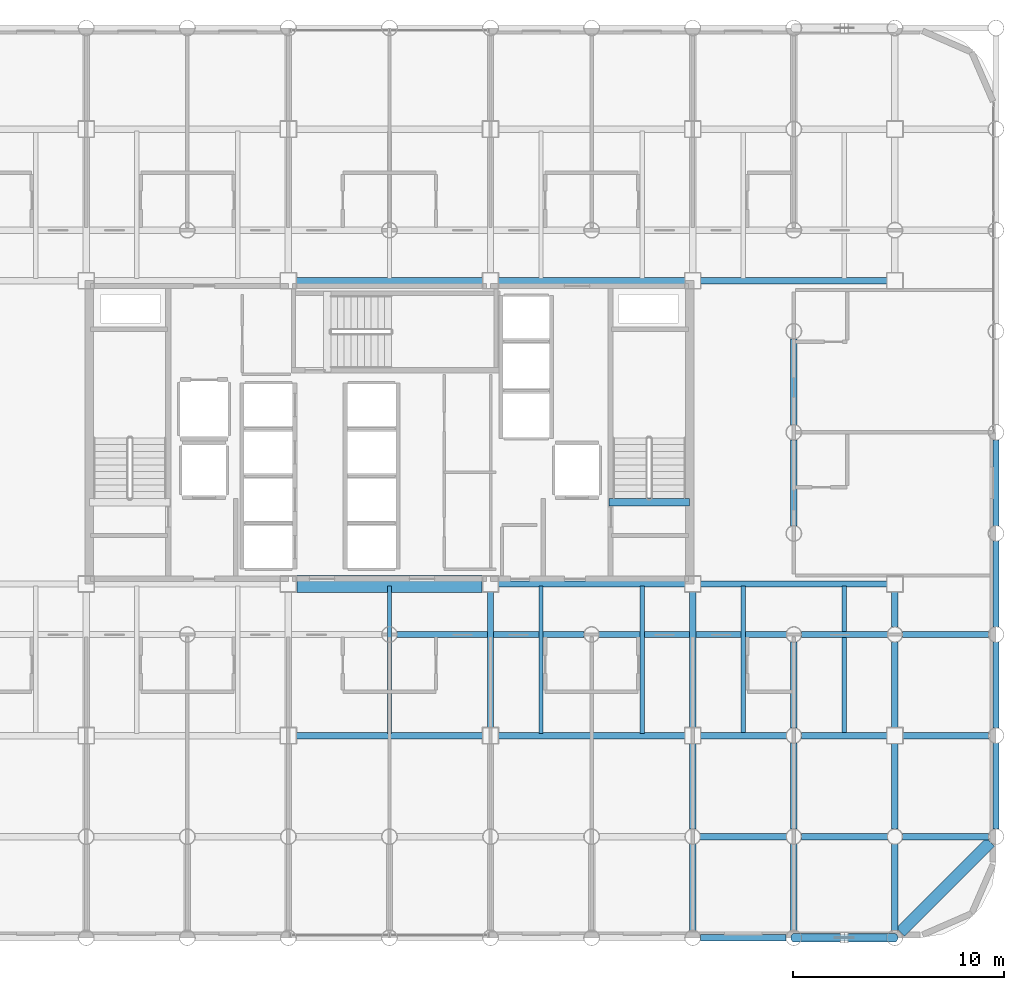
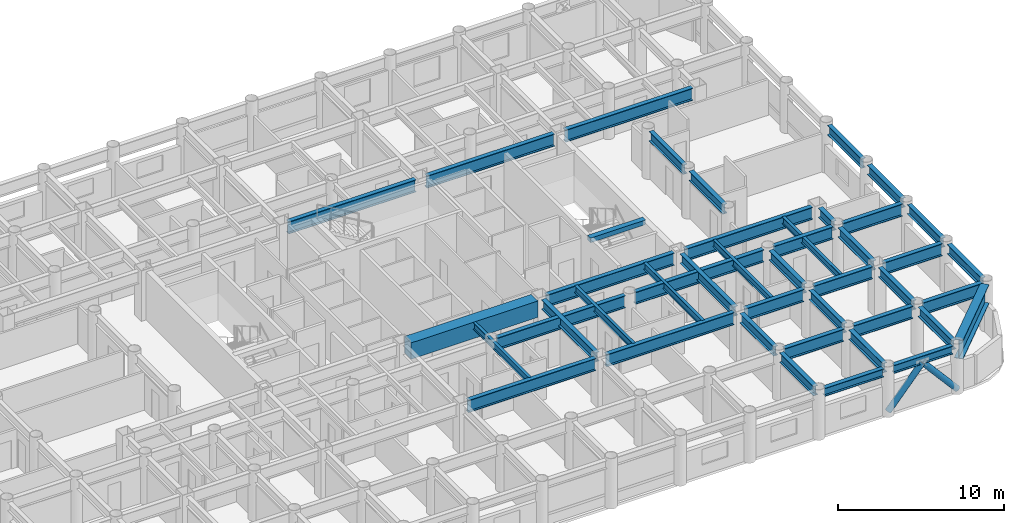
# One storey, part 7 of 22: 44 beams, 2 members.
"""IFC4 building model written with IfcOpenShell, lengths in metres."""

from ifc_helpers import new_model, si_unit, direction, frame, origin, origin_2d, place, context, subcontext, project, spatial, rectangle, hollow_circle, i_section, extrude, material, material_profile, profile_set, type_object, element, save


model = new_model("IFC4")

# Units and contexts
model_context = context("Model", 3, precision=1e-05, world=origin(), true_north=direction((0.0, 1.0)))
body_context = subcontext(model_context, "Body", "Model", "MODEL_VIEW")
ifc_project = project(units=[si_unit("LENGTHUNIT", "METRE"), si_unit("AREAUNIT", "SQUARE_METRE"), si_unit("VOLUMEUNIT", "CUBIC_METRE"), si_unit("PLANEANGLEUNIT", "RADIAN"), si_unit("MASSUNIT", "GRAM", prefix="KILO")], contexts=[model_context])

# Site, building, storey
site_placement = place(None, origin())
site = spatial("IfcSite", under=ifc_project, at=site_placement, CompositionType="ELEMENT")
building_placement = place(site_placement, origin())
building = spatial("IfcBuilding", under=site, at=building_placement, Name="Kallvorn Hotel Tower", CompositionType="ELEMENT")
storey_placement = place(building_placement, frame((0.0, 0.0, 37.39990234375)))
storey = spatial("IfcBuildingStorey", under=building, at=storey_placement, Name="L07", CompositionType="ELEMENT", Elevation=37.39990234375)

# Beams
ifc_material_1 = material(Name="Structural steel S355JR", Category="steel")
ifc_material_profile_1 = material_profile(ifc_material_1, i_section(OverallWidth=0.300048828125, OverallDepth=0.60009765625, WebThickness=0.015380859375, FlangeThickness=0.030029296875, at=origin_2d()), Name="HE 600 B")
ifc_profile_set_1 = profile_set([ifc_material_profile_1], Name="Structural steel S355JR")
beam_type_1 = type_object("IfcBeamType", Name="BM_HE600B", PredefinedType="SPANDREL", material=ifc_profile_set_1)
beam_1_placement = place(storey_placement, frame((14.77099609375, -24.0, 3.22021484375), z_axis=(1.0, 0.0, 0.0), x_axis=(0.0, 1.0, 0.0)))
element("IfcBeam", 1, at=beam_1_placement, inside=storey, type_object=beam_type_1, Name="L08 Perimeter Spandrel 160", PredefinedType="SPANDREL", context=body_context, shape_type="SweptSolid", body=[
    extrude(i_section(OverallWidth=0.300048828125, OverallDepth=0.60009765625, WebThickness=0.015380859375, FlangeThickness=0.030029296875, at=origin_2d()), origin(), (0.0, 0.0, 1.0), 4.05810546875),
])
beam_2_placement = place(storey_placement, frame((19.571044921875, -24.0, 3.22021484375), z_axis=(1.0, 0.0, 0.0), x_axis=(0.0, 1.0, 0.0)))
element("IfcBeam", 2, at=beam_2_placement, inside=storey, type_object=beam_type_1, Name="L08 Perimeter Spandrel 161", PredefinedType="SPANDREL", context=body_context, shape_type="SweptSolid", body=[
    extrude(i_section(OverallWidth=0.300048828125, OverallDepth=0.60009765625, WebThickness=0.015380859375, FlangeThickness=0.030029296875, at=origin_2d()), origin(), (0.0, 0.0, 1.0), 4.057861328125),
])
ifc_material_2 = material(Name="Structural steel S355JR", Category="steel")
ifc_material_profile_2 = material_profile(ifc_material_2, i_section(OverallWidth=0.300048828125, OverallDepth=0.699951171875, WebThickness=0.01708984375, FlangeThickness=0.031982421875, at=origin_2d()), Name="HE 700 B")
ifc_profile_set_2 = profile_set([ifc_material_profile_2], Name="Structural steel S355JR")
beam_type_2 = type_object("IfcBeamType", Name="BM_HE700B", PredefinedType="BEAM", material=ifc_profile_set_2)
beam_3_placement = place(storey_placement, frame((4.800048828125, -14.02490234375, 3.170166015625), z_axis=(0.0, 1.0, 0.0), x_axis=(-1.0, 0.0, 0.0)))
element("IfcBeam", 3, at=beam_3_placement, inside=storey, type_object=beam_type_2, Name="L08 Primary Y-Girder 116", PredefinedType="BEAM", context=body_context, shape_type="SweptSolid", body=[
    extrude(i_section(OverallWidth=0.300048828125, OverallDepth=0.699951171875, WebThickness=0.01708984375, FlangeThickness=0.031982421875, at=origin_2d()), origin(), (0.0, 0.0, 1.0), 6.449951171875),
])
beam_4_placement = place(storey_placement, frame((14.39990234375, -23.64404296875, 3.170166015625), z_axis=(0.0, 1.0, 0.0), x_axis=(-1.0, 0.0, 0.0)))
element("IfcBeam", 4, at=beam_4_placement, inside=storey, type_object=beam_type_2, Name="L08 Primary Y-Girder 122", PredefinedType="BEAM", context=body_context, shape_type="SweptSolid", body=[
    extrude(i_section(OverallWidth=0.300048828125, OverallDepth=0.699951171875, WebThickness=0.01708984375, FlangeThickness=0.031982421875, at=origin_2d()), origin(), (0.0, 0.0, 1.0), 4.088134765625),
])
beam_5_placement = place(storey_placement, frame((14.39990234375, -18.843994140625, 3.170166015625), z_axis=(0.0, 1.0, 0.0), x_axis=(-1.0, 0.0, 0.0)))
element("IfcBeam", 5, at=beam_5_placement, inside=storey, type_object=beam_type_2, Name="L08 Primary Y-Girder 123", PredefinedType="BEAM", context=body_context, shape_type="SweptSolid", body=[
    extrude(i_section(OverallWidth=0.300048828125, OverallDepth=0.699951171875, WebThickness=0.01708984375, FlangeThickness=0.031982421875, at=origin_2d()), origin(), (0.0, 0.0, 1.0), 4.069091796875),
])
beam_6_placement = place(storey_placement, frame((14.39990234375, -14.02490234375, 3.170166015625), z_axis=(0.0, 1.0, 0.0), x_axis=(-1.0, 0.0, 0.0)))
element("IfcBeam", 6, at=beam_6_placement, inside=storey, type_object=beam_type_2, Name="L08 Primary Y-Girder 124", PredefinedType="BEAM", context=body_context, shape_type="SweptSolid", body=[
    extrude(i_section(OverallWidth=0.300048828125, OverallDepth=0.699951171875, WebThickness=0.01708984375, FlangeThickness=0.031982421875, at=origin_2d()), origin(), (0.0, 0.0, 1.0), 6.449951171875),
])
beam_7_placement = place(storey_placement, frame((19.199951171875, -23.64404296875, 3.170166015625), z_axis=(0.0, 1.0, 0.0), x_axis=(-1.0, 0.0, 0.0)))
element("IfcBeam", 7, at=beam_7_placement, inside=storey, type_object=beam_type_2, Name="L08 Primary Y-Girder 127", PredefinedType="BEAM", context=body_context, shape_type="SweptSolid", body=[
    extrude(i_section(OverallWidth=0.300048828125, OverallDepth=0.699951171875, WebThickness=0.01708984375, FlangeThickness=0.031982421875, at=origin_2d()), origin(), (0.0, 0.0, 1.0), 4.088134765625),
])
for number, where, z_axis, x_axis, name in (
    (8, (19.199951171875, -18.843994140625, 3.170166015625), (0.0, 1.0, 0.0), (-1.0, 0.0, 0.0), "L08 Primary Y-Girder 128"),
    (9, (19.199951171875, -14.0439453125, 3.170166015625), (0.0, 1.0, 0.0), (-1.0, 0.0, 0.0), "L08 Primary Y-Girder 129"),
):
    element("IfcBeam", number, at=place(storey_placement, frame(where, z_axis=z_axis, x_axis=x_axis)), inside=storey, type_object=beam_type_2, Name=name, PredefinedType="BEAM", context=body_context, shape_type="SweptSolid", body=[
        extrude(i_section(OverallWidth=0.300048828125, OverallDepth=0.699951171875, WebThickness=0.01708984375, FlangeThickness=0.031982421875, at=origin_2d()), origin(), (0.0, 0.0, 1.0), 4.087890625),
    ])
for number, where, z_axis, x_axis, name in (
    (10, (19.199951171875, -4.444091796875, 3.170166015625), (0.0, 1.0, 0.0), (-1.0, 0.0, 0.0), "L08 Primary Y-Girder 131"),
    (11, (19.199951171875, 0.35595703125, 3.170166015625), (0.0, 1.0, 0.0), (-1.0, 0.0, 0.0), "L08 Primary Y-Girder 132"),
    (12, (24.0, -23.64404296875, 3.170166015625), (0.0, 1.0, 0.0), (-1.0, 0.0, 0.0), "L08 Primary Y-Girder 136"),
):
    element("IfcBeam", number, at=place(storey_placement, frame(where, z_axis=z_axis, x_axis=x_axis)), inside=storey, type_object=beam_type_2, Name=name, PredefinedType="BEAM", context=body_context, shape_type="SweptSolid", body=[
        extrude(i_section(OverallWidth=0.300048828125, OverallDepth=0.699951171875, WebThickness=0.01708984375, FlangeThickness=0.031982421875, at=origin_2d()), origin(), (0.0, 0.0, 1.0), 4.088134765625),
    ])
beam_8_placement = place(storey_placement, frame((24.0, -18.843994140625, 3.170166015625), z_axis=(0.0, 1.0, 0.0), x_axis=(-1.0, 0.0, 0.0)))
element("IfcBeam", 13, at=beam_8_placement, inside=storey, type_object=beam_type_2, Name="L08 Primary Y-Girder 137", PredefinedType="BEAM", context=body_context, shape_type="SweptSolid", body=[
    extrude(i_section(OverallWidth=0.300048828125, OverallDepth=0.699951171875, WebThickness=0.01708984375, FlangeThickness=0.031982421875, at=origin_2d()), origin(), (0.0, 0.0, 1.0), 4.069091796875),
])
beam_9_placement = place(storey_placement, frame((24.0, -14.02490234375, 3.170166015625), z_axis=(0.0, 1.0, 0.0), x_axis=(-1.0, 0.0, 0.0)))
element("IfcBeam", 14, at=beam_9_placement, inside=storey, type_object=beam_type_2, Name="L08 Primary Y-Girder 138", PredefinedType="BEAM", context=body_context, shape_type="SweptSolid", body=[
    extrude(i_section(OverallWidth=0.300048828125, OverallDepth=0.699951171875, WebThickness=0.01708984375, FlangeThickness=0.031982421875, at=origin_2d()), origin(), (0.0, 0.0, 1.0), 4.06884765625),
])
beam_10_placement = place(storey_placement, frame((24.0, -9.243896484375, 3.170166015625), z_axis=(0.0, 1.0, 0.0), x_axis=(-1.0, 0.0, 0.0)))
element("IfcBeam", 15, at=beam_10_placement, inside=storey, type_object=beam_type_2, Name="L08 Primary Y-Girder 139", PredefinedType="BEAM", context=body_context, shape_type="SweptSolid", body=[
    extrude(i_section(OverallWidth=0.300048828125, OverallDepth=0.699951171875, WebThickness=0.01708984375, FlangeThickness=0.031982421875, at=origin_2d()), origin(), (0.0, 0.0, 1.0), 1.6689453125),
])
for number, where, z_axis, x_axis, name in (
    (16, (28.800048828125, -18.843994140625, 3.170166015625), (0.0, 1.0, 0.0), (-1.0, 0.0, 0.0), "L08 Primary Y-Girder 143"),
    (17, (28.800048828125, -14.0439453125, 3.170166015625), (0.0, 1.0, 0.0), (-1.0, 0.0, 0.0), "L08 Primary Y-Girder 144"),
    (18, (28.800048828125, -9.243896484375, 3.170166015625), (0.0, 1.0, 0.0), (-1.0, 0.0, 0.0), "L08 Primary Y-Girder 145"),
):
    element("IfcBeam", number, at=place(storey_placement, frame(where, z_axis=z_axis, x_axis=x_axis)), inside=storey, type_object=beam_type_2, Name=name, PredefinedType="BEAM", context=body_context, shape_type="SweptSolid", body=[
        extrude(i_section(OverallWidth=0.300048828125, OverallDepth=0.699951171875, WebThickness=0.01708984375, FlangeThickness=0.031982421875, at=origin_2d()), origin(), (0.0, 0.0, 1.0), 4.087890625),
    ])
beam_11_placement = place(storey_placement, frame((28.800048828125, -4.444091796875, 3.170166015625), z_axis=(0.0, 1.0, 0.0), x_axis=(-1.0, 0.0, 0.0)))
element("IfcBeam", 19, at=beam_11_placement, inside=storey, type_object=beam_type_2, Name="L08 Primary Y-Girder 146", PredefinedType="BEAM", context=body_context, shape_type="SweptSolid", body=[
    extrude(i_section(OverallWidth=0.300048828125, OverallDepth=0.699951171875, WebThickness=0.01708984375, FlangeThickness=0.031982421875, at=origin_2d()), origin(), (0.0, 0.0, 1.0), 4.088134765625),
])
ifc_material_3 = material(Name="Structural steel S355JR", Category="steel")
ifc_material_profile_3 = material_profile(ifc_material_3, i_section(OverallWidth=0.300048828125, OverallDepth=0.89990234375, WebThickness=0.0185546875, FlangeThickness=0.034912109375, at=origin_2d()), Name="HE 900 B")
ifc_profile_set_3 = profile_set([ifc_material_profile_3], Name="Structural steel S355JR")
beam_type_3 = type_object("IfcBeamType", Name="BM_HE900B", PredefinedType="BEAM", material=ifc_profile_set_3)
beam_12_placement = place(storey_placement, frame((14.756103515625, -19.199951171875, 3.070068359375), z_axis=(1.0, 0.0, 0.0), x_axis=(0.0, 1.0, 0.0)))
element("IfcBeam", 20, at=beam_12_placement, inside=storey, type_object=beam_type_3, Name="L08 Primary X-Girder 11", PredefinedType="BEAM", context=body_context, shape_type="SweptSolid", body=[
    extrude(i_section(OverallWidth=0.300048828125, OverallDepth=0.89990234375, WebThickness=0.0185546875, FlangeThickness=0.034912109375, at=origin_2d()), origin(), (0.0, 0.0, 1.0), 4.087890625),
])
for number, where, z_axis, x_axis, name in (
    (21, (19.555908203125, -19.199951171875, 3.070068359375), (1.0, 0.0, 0.0), (0.0, 1.0, 0.0), "L08 Primary X-Girder 12"),
    (22, (24.35595703125, -19.199951171875, 3.070068359375), (1.0, 0.0, 0.0), (0.0, 1.0, 0.0), "L08 Primary X-Girder 13"),
):
    element("IfcBeam", number, at=place(storey_placement, frame(where, z_axis=z_axis, x_axis=x_axis)), inside=storey, type_object=beam_type_3, Name=name, PredefinedType="BEAM", context=body_context, shape_type="SweptSolid", body=[
        extrude(i_section(OverallWidth=0.300048828125, OverallDepth=0.89990234375, WebThickness=0.0185546875, FlangeThickness=0.034912109375, at=origin_2d()), origin(), (0.0, 0.0, 1.0), 4.088134765625),
    ])
beam_13_placement = place(storey_placement, frame((-4.425048828125, -14.39990234375, 3.070068359375), z_axis=(1.0, 0.0, 0.0), x_axis=(0.0, 1.0, 0.0)))
element("IfcBeam", 23, at=beam_13_placement, inside=storey, type_object=beam_type_3, Name="L08 Primary X-Girder 19", PredefinedType="BEAM", context=body_context, shape_type="SweptSolid", body=[
    extrude(i_section(OverallWidth=0.300048828125, OverallDepth=0.89990234375, WebThickness=0.0185546875, FlangeThickness=0.034912109375, at=origin_2d()), origin(), (0.0, 0.0, 1.0), 8.85009765625),
])
beam_14_placement = place(storey_placement, frame((5.175048828125, -14.39990234375, 3.070068359375), z_axis=(1.0, 0.0, 0.0), x_axis=(0.0, 1.0, 0.0)))
element("IfcBeam", 24, at=beam_14_placement, inside=storey, type_object=beam_type_3, Name="L08 Primary X-Girder 20", PredefinedType="BEAM", context=body_context, shape_type="SweptSolid", body=[
    extrude(i_section(OverallWidth=0.300048828125, OverallDepth=0.89990234375, WebThickness=0.0185546875, FlangeThickness=0.034912109375, at=origin_2d()), origin(), (0.0, 0.0, 1.0), 8.849853515625),
])
for number, where, z_axis, x_axis, name in (
    (25, (14.77490234375, -14.39990234375, 3.070068359375), (1.0, 0.0, 0.0), (0.0, 1.0, 0.0), "L08 Primary X-Girder 21"),
    (26, (19.555908203125, -14.39990234375, 3.070068359375), (1.0, 0.0, 0.0), (0.0, 1.0, 0.0), "L08 Primary X-Girder 22"),
    (27, (24.375, -14.39990234375, 3.070068359375), (1.0, 0.0, 0.0), (0.0, 1.0, 0.0), "L08 Primary X-Girder 23"),
):
    element("IfcBeam", number, at=place(storey_placement, frame(where, z_axis=z_axis, x_axis=x_axis)), inside=storey, type_object=beam_type_3, Name=name, PredefinedType="BEAM", context=body_context, shape_type="SweptSolid", body=[
        extrude(i_section(OverallWidth=0.300048828125, OverallDepth=0.89990234375, WebThickness=0.0185546875, FlangeThickness=0.034912109375, at=origin_2d()), origin(), (0.0, 0.0, 1.0), 4.069091796875),
    ])
for number, where, z_axis, x_axis, name in (
    (28, (0.35595703125, -9.60009765625, 3.070068359375), (1.0, 0.0, 0.0), (0.0, 1.0, 0.0), "L08 Primary X-Girder 29"),
    (29, (9.9560546875, -9.60009765625, 3.070068359375), (1.0, 0.0, 0.0), (0.0, 1.0, 0.0), "L08 Primary X-Girder 30"),
):
    element("IfcBeam", number, at=place(storey_placement, frame(where, z_axis=z_axis, x_axis=x_axis)), inside=storey, type_object=beam_type_3, Name=name, PredefinedType="BEAM", context=body_context, shape_type="SweptSolid", body=[
        extrude(i_section(OverallWidth=0.300048828125, OverallDepth=0.89990234375, WebThickness=0.0185546875, FlangeThickness=0.034912109375, at=origin_2d()), origin(), (0.0, 0.0, 1.0), 8.887939453125),
    ])
for number, where, z_axis, x_axis, name in (
    (30, (19.555908203125, -9.60009765625, 3.070068359375), (1.0, 0.0, 0.0), (0.0, 1.0, 0.0), "L08 Primary X-Girder 31"),
    (31, (24.35595703125, -9.60009765625, 3.070068359375), (1.0, 0.0, 0.0), (0.0, 1.0, 0.0), "L08 Primary X-Girder 32"),
):
    element("IfcBeam", number, at=place(storey_placement, frame(where, z_axis=z_axis, x_axis=x_axis)), inside=storey, type_object=beam_type_3, Name=name, PredefinedType="BEAM", context=body_context, shape_type="SweptSolid", body=[
        extrude(i_section(OverallWidth=0.300048828125, OverallDepth=0.89990234375, WebThickness=0.0185546875, FlangeThickness=0.034912109375, at=origin_2d()), origin(), (0.0, 0.0, 1.0), 4.088134765625),
    ])
beam_15_placement = place(storey_placement, frame((5.175048828125, -7.199951171875, 3.070068359375), z_axis=(1.0, 0.0, 0.0), x_axis=(0.0, 1.0, 0.0)))
element("IfcBeam", 32, at=beam_15_placement, inside=storey, type_object=beam_type_3, Name="L08 Primary X-Girder 35", PredefinedType="BEAM", context=body_context, shape_type="SweptSolid", body=[
    extrude(i_section(OverallWidth=0.300048828125, OverallDepth=0.89990234375, WebThickness=0.0185546875, FlangeThickness=0.034912109375, at=origin_2d()), origin(), (0.0, 0.0, 1.0), 8.849853515625),
])
for number, where, z_axis, x_axis, name in (
    (33, (14.77490234375, -7.199951171875, 3.070068359375), (1.0, 0.0, 0.0), (0.0, 1.0, 0.0), "L08 Primary X-Girder 36"),
    (34, (-4.425048828125, 7.199951171875, 3.070068359375), (1.0, 0.0, 0.0), (0.0, 1.0, 0.0), "L08 Primary X-Girder 39"),
):
    element("IfcBeam", number, at=place(storey_placement, frame(where, z_axis=z_axis, x_axis=x_axis)), inside=storey, type_object=beam_type_3, Name=name, PredefinedType="BEAM", context=body_context, shape_type="SweptSolid", body=[
        extrude(i_section(OverallWidth=0.300048828125, OverallDepth=0.89990234375, WebThickness=0.0185546875, FlangeThickness=0.034912109375, at=origin_2d()), origin(), (0.0, 0.0, 1.0), 8.85009765625),
    ])
beam_16_placement = place(storey_placement, frame((5.175048828125, 7.199951171875, 3.070068359375), z_axis=(1.0, 0.0, 0.0), x_axis=(0.0, 1.0, 0.0)))
element("IfcBeam", 35, at=beam_16_placement, inside=storey, type_object=beam_type_3, Name="L08 Primary X-Girder 40", PredefinedType="BEAM", context=body_context, shape_type="SweptSolid", body=[
    extrude(i_section(OverallWidth=0.300048828125, OverallDepth=0.89990234375, WebThickness=0.0185546875, FlangeThickness=0.034912109375, at=origin_2d()), origin(), (0.0, 0.0, 1.0), 8.849853515625),
])
beam_17_placement = place(storey_placement, frame((14.77490234375, 7.199951171875, 3.070068359375), z_axis=(1.0, 0.0, 0.0), x_axis=(0.0, 1.0, 0.0)))
element("IfcBeam", 36, at=beam_17_placement, inside=storey, type_object=beam_type_3, Name="L08 Primary X-Girder 41", PredefinedType="BEAM", context=body_context, shape_type="SweptSolid", body=[
    extrude(i_section(OverallWidth=0.300048828125, OverallDepth=0.89990234375, WebThickness=0.0185546875, FlangeThickness=0.034912109375, at=origin_2d()), origin(), (0.0, 0.0, 1.0), 8.85009765625),
])
ifc_material_4 = material(Name="Structural steel S355JR", Category="steel")
ifc_material_profile_4 = material_profile(ifc_material_4, i_section(OverallWidth=0.199951171875, OverallDepth=0.5, WebThickness=0.01025390625, FlangeThickness=0.01611328125, at=origin_2d()), Name="IPE 500")
ifc_profile_set_4 = profile_set([ifc_material_profile_4], Name="Structural steel S355JR")
beam_type_4 = type_object("IfcBeamType", Name="BM_IPE500", PredefinedType="JOIST", material=ifc_profile_set_4)
for number, where, z_axis, x_axis, name in (
    (37, (0.0, -14.300048828125, 3.27001953125), (0.0, 1.0, 0.0), (-1.0, 0.0, 0.0), "L08 Secondary Composite Joist 200"),
    (38, (7.199951171875, -14.300048828125, 3.27001953125), (0.0, 1.0, 0.0), (-1.0, 0.0, 0.0), "L08 Secondary Composite Joist 202"),
    (39, (12.0, -14.300048828125, 3.27001953125), (0.0, 1.0, 0.0), (-1.0, 0.0, 0.0), "L08 Secondary Composite Joist 204"),
    (40, (16.800048828125, -14.300048828125, 3.27001953125), (0.0, 1.0, 0.0), (-1.0, 0.0, 0.0), "L08 Secondary Composite Joist 206"),
    (41, (21.60009765625, -14.300048828125, 3.27001953125), (0.0, 1.0, 0.0), (-1.0, 0.0, 0.0), "L08 Secondary Composite Joist 208"),
):
    element("IfcBeam", number, at=place(storey_placement, frame(where, z_axis=z_axis, x_axis=x_axis)), inside=storey, type_object=beam_type_4, Name=name, PredefinedType="JOIST", context=body_context, shape_type="SweptSolid", body=[
        extrude(i_section(OverallWidth=0.199951171875, OverallDepth=0.5, WebThickness=0.01025390625, FlangeThickness=0.01611328125, at=origin_2d()), origin(), (0.0, 0.0, 1.0), 7.0),
    ])
ifc_material_5 = material(Name="Structural steel S355JR", Category="steel")
ifc_material_profile_5 = material_profile(ifc_material_5, i_section(OverallWidth=0.550048828125, OverallDepth=1.39990234375, WebThickness=0.02490234375, FlangeThickness=0.044921875, at=origin_2d()), Name="PG 1400x550x25x45")
ifc_profile_set_5 = profile_set([ifc_material_profile_5], Name="Structural steel S355JR")
beam_type_5 = type_object("IfcBeamType", Name="BM_PG_1400", PredefinedType="BEAM", material=ifc_profile_set_5)
beam_18_placement = place(storey_placement, frame((28.53759765625, -19.46240234375, 2.820068359375), z_axis=(-0.707106781187, -0.707106781187, 0.0), x_axis=(0.707106781187, -0.707106781187, 0.0)))
element("IfcBeam", 42, at=beam_18_placement, inside=storey, type_object=beam_type_5, Name="L08 Rounded Corner Tie Beam 191", PredefinedType="BEAM", context=body_context, shape_type="SweptSolid", body=[
    extrude(i_section(OverallWidth=0.550048828125, OverallDepth=1.39990234375, WebThickness=0.02490234375, FlangeThickness=0.044921875, at=origin_2d()), origin(), (0.0, 0.0, 1.0), 6.04638671875),
])
ifc_material_6 = material(Name="Concrete C50/60", Category="concrete")
ifc_material_profile_6 = material_profile(ifc_material_6, rectangle(XDim=0.360107421875, YDim=0.340087890625, at=origin_2d()), Name="RC 360x340")
ifc_profile_set_6 = profile_set([ifc_material_profile_6], Name="Concrete C50/60")
beam_type_6 = type_object("IfcBeamType", Name="BM_RC_400x360", PredefinedType="BEAM", material=ifc_profile_set_6)
beam_19_placement = place(storey_placement, frame((14.239990234375, -3.31005859375, 3.35009765625), z_axis=(-1.0, 0.0, 0.0), x_axis=(0.0, -1.0, 0.0)))
element("IfcBeam", 43, at=beam_19_placement, inside=storey, type_object=beam_type_6, Name="L08 Stair ST2 Arrival Trimmer Beam", PredefinedType="BEAM", context=body_context, shape_type="SweptSolid", body=[
    extrude(rectangle(XDim=0.360107421875, YDim=0.340087890625, at=origin_2d()), origin(), (0.0, 0.0, 1.0), 3.820068359375),
])
ifc_material_7 = material(Name="Concrete C50/60", Category="concrete")
ifc_material_profile_7 = material_profile(ifc_material_7, rectangle(XDim=0.800048828125, YDim=1.199951171875, at=origin_2d()), Name="RC 800x1200")
ifc_profile_set_7 = profile_set([ifc_material_profile_7], Name="Concrete C50/60")
beam_type_7 = type_object("IfcBeamType", Name="BM_RC_800x1200", PredefinedType="T_BEAM", material=ifc_profile_set_7)
beam_20_placement = place(storey_placement, frame((-4.39990234375, -7.199951171875, 2.920166015625), z_axis=(1.0, 0.0, 0.0), x_axis=(0.0, 1.0, 0.0)))
element("IfcBeam", 44, at=beam_20_placement, inside=storey, type_object=beam_type_7, Name="L07 Core Coupling Beam South", PredefinedType="T_BEAM", context=body_context, shape_type="SweptSolid", body=[
    extrude(rectangle(XDim=0.800048828125, YDim=1.199951171875, at=origin_2d()), origin(), (0.0, 0.0, 1.0), 8.7998046875),
])

# Members
ifc_material_8 = material(Name="Structural steel S355J2H", Category="steel")
ifc_material_profile_8 = material_profile(ifc_material_8, hollow_circle(Radius=0.203125, WallThickness=0.01611328125, at=origin_2d()), Name="CHS 406.4x16")
ifc_profile_set_8 = profile_set([ifc_material_profile_8], Name="Structural steel S355J2H")
member_type = type_object("IfcMemberType", Name="MBR_EXO_CHS406", PredefinedType="BRACE", material=ifc_profile_set_8)
for number, where, z_axis, x_axis, name in (
    (45, (19.213134765625, -24.0, 0.1953125), (0.65346062529, 0.0, 0.756960508346), (0.0, 1.0, 0.0), "L07 Exoskeleton K-Brace S2A"),
    (46, (23.98681640625, -24.0, 0.1953125), (-0.65346062529, 0.0, 0.756960508346), (0.0, -1.0, 0.0), "L07 Exoskeleton K-Brace S2B"),
):
    element("IfcMember", number, at=place(storey_placement, frame(where, z_axis=z_axis, x_axis=x_axis)), inside=storey, type_object=member_type, Name=name, PredefinedType="BRACE", context=body_context, shape_type="SweptSolid", body=[
        extrude(hollow_circle(Radius=0.203125, WallThickness=0.01611328125, at=origin_2d()), origin(), (0.0, 0.0, 1.0), 3.632568359375),
    ])

save(model, "model.ifc")
